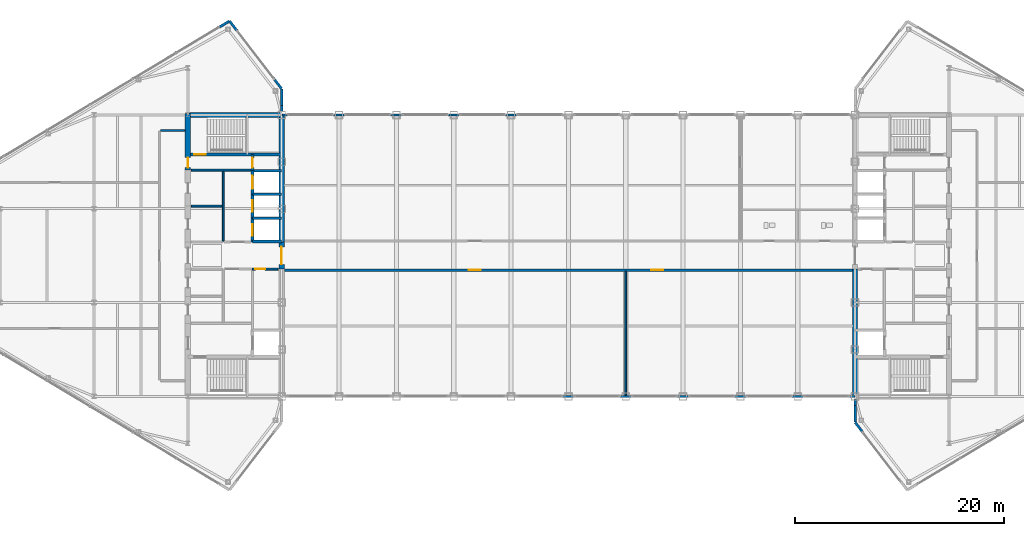
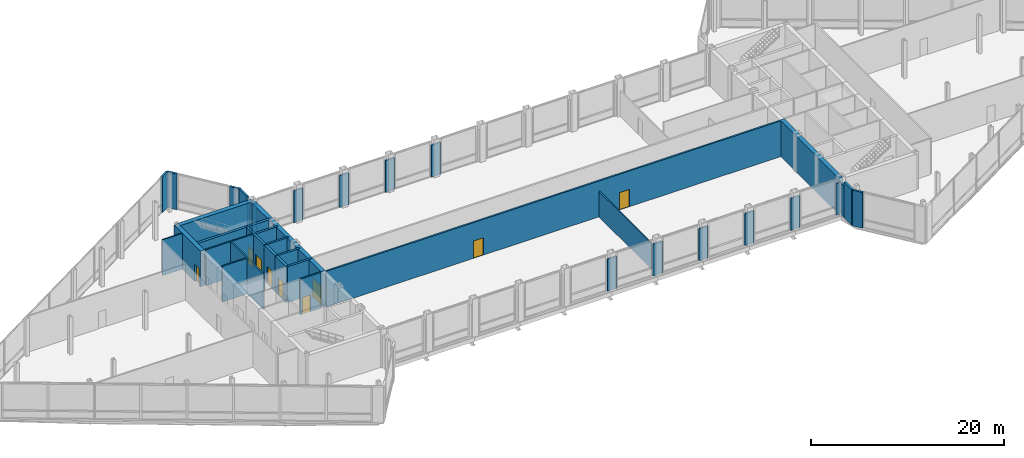
# One storey, part 23 of 29: 40 walls, 10 doors, 10 openings.
"""IFC4 building model written with IfcOpenShell, lengths in metres."""

from ifc_helpers import new_model, si_unit, direction, frame, frame_2d, origin, place, context, subcontext, project, spatial, rectangle, extrude, source, transform, mapped, material, layer, layer_set, type_object, type_shapes, element, fill, save


model = new_model("IFC4")

# Units and contexts
model_context = context("Model", 3, precision=1e-05, world=origin(), true_north=direction((0.0, 1.0)))
body_context = subcontext(model_context, "Body", "Model", "MODEL_VIEW")
ifc_project = project(units=[si_unit("LENGTHUNIT", "METRE"), si_unit("AREAUNIT", "SQUARE_METRE"), si_unit("VOLUMEUNIT", "CUBIC_METRE"), si_unit("PLANEANGLEUNIT", "RADIAN"), si_unit("MASSUNIT", "GRAM", prefix="KILO")], contexts=[model_context])

# Site, building, storey
site_placement = place(None, origin())
site = spatial("IfcSite", under=ifc_project, at=site_placement, CompositionType="ELEMENT")
building_placement = place(site_placement, origin())
building = spatial("IfcBuilding", under=site, at=building_placement, Name="Seokmaru Belvedere", CompositionType="ELEMENT")
storey_placement = place(building_placement, frame((0.0, 0.0, 269.39990234375)))
storey = spatial("IfcBuildingStorey", under=building, at=storey_placement, Name="L71", CompositionType="ELEMENT", Elevation=269.39990234375)

# Walls
ifc_material_1 = material(Name="Fire-Rated Gypsum Shaftwall")
ifc_layer_1 = layer(ifc_material_1, 0.14990234375)
ifc_layer_set_1 = layer_set([ifc_layer_1], Name="Fire-Rated Gypsum Shaftwall")
wall_type_1 = type_object("IfcWallType", Name="Apartment Fire-Acoustic Room Partition 150", PredefinedType="PARTITIONING", material=ifc_layer_set_1)
wall_1_placement = place(storey_placement, frame((-39.114990234375, 12.0, 0.0), z_axis=(0.0, 0.0, 1.0), x_axis=(1.0, 0.0, 0.0)))
element("IfcWall", 1, at=wall_1_placement, inside=storey, type_object=wall_type_1, Name="L71 Interior Partition 010", PredefinedType="PARTITIONING", context=body_context, shape_type="SweptSolid", body=[
    extrude(rectangle(XDim=2.360107421875, YDim=0.14990234375, at=frame_2d((1.18017578125, 0.0))), origin(), (0.0, 0.0, 1.0), 4.5400390625),
])
wall_2_placement = place(storey_placement, frame((5.5, -13.389892578125, 0.0), z_axis=(0.0, 0.0, 1.0), x_axis=(0.0, 1.0, 0.0)))
element("IfcWall", 2, at=wall_2_placement, inside=storey, type_object=wall_type_1, Name="L71 Interior Partition 013", PredefinedType="PARTITIONING", context=body_context, shape_type="SweptSolid", body=[
    extrude(rectangle(XDim=11.90478515625, YDim=0.14990234375, at=frame_2d((5.952392578125, 0.0))), origin(), (0.0, 0.0, 1.0), 3.239990234375),
])
ifc_material_2 = material(Name="Anodised Bronze Aluminium", Category="aluminium")
ifc_layer_2 = layer(ifc_material_2, 0.2099609375)
ifc_layer_set_2 = layer_set([ifc_layer_2], Name="Anodised Bronze Aluminium")
wall_type_2 = type_object("IfcWallType", Name="Bridge Column Spandrel Closure Pier 210", PredefinedType="SOLIDWALL", material=ifc_layer_set_2)
wall_3_placement = place(storey_placement, frame((-27.489990234375, 13.5, 0.0), z_axis=(0.0, 0.0, 1.0), x_axis=(1.0, 0.0, 0.0)))
element("IfcWall", 3, at=wall_3_placement, inside=storey, type_object=wall_type_2, Name="L71 Bridge North Column Closure Pier 01", PredefinedType="SOLIDWALL", context=body_context, shape_type="SweptSolid", body=[
    extrude(rectangle(XDim=0.5400390625, YDim=0.2099609375, at=frame_2d((0.27001953125, 0.0))), origin(), (0.0, 0.0, 1.0), 4.0400390625),
])
for number, where, z_axis, x_axis, name in (
    (4, (-22.550048828125, 13.5, 0.0), (0.0, 0.0, 1.0), (1.0, 0.0, 0.0), "L71 Bridge North Column Closure Pier 02"),
    (5, (-17.050048828125, 13.5, 0.0), (0.0, 0.0, 1.0), (1.0, 0.0, 0.0), "L71 Bridge North Column Closure Pier 03"),
    (6, (-11.550048828125, 13.5, 0.0), (0.0, 0.0, 1.0), (1.0, 0.0, 0.0), "L71 Bridge North Column Closure Pier 04"),
    (7, (-6.050048828125, 13.5, 0.0), (0.0, 0.0, 1.0), (1.0, 0.0, 0.0), "L71 Bridge North Column Closure Pier 05"),
    (8, (-0.550048828125, -13.5, 0.0), (0.0, 0.0, 1.0), (1.0, 0.0, 0.0), "L71 Bridge South Column Closure Pier 06"),
    (9, (4.949951171875, -13.5, 0.0), (0.0, 0.0, 1.0), (1.0, 0.0, 0.0), "L71 Bridge South Column Closure Pier 07"),
    (10, (10.449951171875, -13.5, 0.0), (0.0, 0.0, 1.0), (1.0, 0.0, 0.0), "L71 Bridge South Column Closure Pier 08"),
    (11, (15.949951171875, -13.5, 0.0), (0.0, 0.0, 1.0), (1.0, 0.0, 0.0), "L71 Bridge South Column Closure Pier 09"),
    (12, (21.449951171875, -13.5, 0.0), (0.0, 0.0, 1.0), (1.0, 0.0, 0.0), "L71 Bridge South Column Closure Pier 10"),
):
    element("IfcWall", number, at=place(storey_placement, frame(where, z_axis=z_axis, x_axis=x_axis)), inside=storey, type_object=wall_type_2, Name=name, PredefinedType="SOLIDWALL", context=body_context, shape_type="SweptSolid", body=[
        extrude(rectangle(XDim=1.10009765625, YDim=0.2099609375, at=frame_2d((0.550048828125, 0.0))), origin(), (0.0, 0.0, 1.0), 4.0400390625),
    ])
wall_4_placement = place(storey_placement, frame((26.949951171875, -13.5, 0.0), z_axis=(0.0, 0.0, 1.0), x_axis=(1.0, 0.0, 0.0)))
element("IfcWall", 13, at=wall_4_placement, inside=storey, type_object=wall_type_2, Name="L71 Bridge South Column Closure Pier 11", PredefinedType="SOLIDWALL", context=body_context, shape_type="SweptSolid", body=[
    extrude(rectangle(XDim=0.5400390625, YDim=0.2099609375, at=frame_2d((0.27001953125, 0.0))), origin(), (0.0, 0.0, 1.0), 4.0400390625),
])
ifc_layer_3 = layer(ifc_material_1, 0.179931640625)
ifc_layer_set_3 = layer_set([ifc_layer_3], Name="Fire-Rated Gypsum Shaftwall")
wall_type_3 = type_object("IfcWallType", Name="Core Service Fire Partition 180", PredefinedType="PARTITIONING", material=ifc_layer_set_3)
wall_5_placement = place(storey_placement, frame((-36.14990234375, 8.199951171875, 0.0), z_axis=(0.0, 0.0, 1.0), x_axis=(1.0, 0.0, 0.0)))
element("IfcWall", 14, at=wall_5_placement, inside=storey, type_object=wall_type_3, Name="L71 West Smokeproof Vestibule Partition", PredefinedType="PARTITIONING", context=body_context, shape_type="SweptSolid", body=[
    extrude(rectangle(XDim=5.699951171875, YDim=0.179931640625, at=frame_2d((2.85009765625, 0.0))), origin(), (0.0, 0.0, 1.0), 4.5400390625),
])
wall_6_placement = place(storey_placement, frame((-33.10009765625, 1.3798828125, 0.0), z_axis=(0.0, 0.0, 1.0), x_axis=(0.0, 1.0, 0.0)))
element("IfcWall", 15, at=wall_6_placement, inside=storey, type_object=wall_type_3, Name="L71 West North Core Service Back Wall", PredefinedType="PARTITIONING", context=body_context, shape_type="SweptSolid", body=[
    extrude(rectangle(XDim=6.740234375, YDim=0.179931640625, at=frame_2d((3.3701171875, 0.0))), origin(), (0.0, 0.0, 1.0), 4.5400390625),
])

# Wall, opening, door
wall_7_placement = place(storey_placement, frame((-30.300048828125, -1.300048828125, 0.0), z_axis=(0.0, 0.0, 1.0), x_axis=(1.0, 0.0, 0.0)))
wall_7 = element("IfcWall", 16, at=wall_7_placement, inside=storey, type_object=wall_type_3, Name="L71 West South Parcel Vault Foyer Wall", PredefinedType="PARTITIONING", context=body_context, shape_type="SweptSolid", body=[
    extrude(rectangle(XDim=2.449951171875, YDim=0.179931640625, at=frame_2d((1.22509765625, 0.0))), origin(), (0.0, 0.0, 1.0), 4.5400390625),
])
opening_1_placement = place(wall_7_placement, frame((0.27490234375, 0.0, 0.0)))
opening_1 = element("IfcOpeningElement", 17, at=opening_1_placement, cuts=wall_7, Name="Opening D04", PredefinedType="OPENING", context=body_context, shape_type="SweptSolid", body=[
    extrude(rectangle(XDim=0.949951171875, YDim=2.14990234375, at=frame_2d((0.47509765625, 1.074951171875))), frame((0.0, 0.10009765625, 0.0), z_axis=(0.0, -1.0, 0.0), x_axis=(1.0, 0.0, 0.0)), (0.0, 0.0, 1.0), 0.199951171875),
])
ifc_material_3 = material(Name="Fire-Rated Steel Leaf", Category="steel")
door_type_1 = type_object("IfcDoorType", Name="Core Service Room Fire Door 950x2150", OperationType="NOTDEFINED", PredefinedType="DOOR", material=ifc_material_3)
shared_shape_1 = source(origin(), body_context, "Body", "SweptSolid", [
    extrude(rectangle(XDim=0.949951171875, YDim=2.14990234375, at=frame_2d((0.47509765625, 1.074951171875))), frame((0.0, 0.02490234375, 0.0), z_axis=(0.0, -1.0, 0.0), x_axis=(1.0, 0.0, 0.0)), (0.0, 0.0, 1.0), 0.050048828125),
])
type_shapes(door_type_1, [shared_shape_1])
door_1_placement = place(opening_1_placement, origin())
door_1 = element("IfcDoor", 18, at=door_1_placement, inside=storey, type_object=door_type_1, Name="L71 West South Parcel Vault Door", OperationType="SINGLE_SWING_LEFT", OverallHeight=2.14990234375, OverallWidth=0.949951171875, PredefinedType="DOOR", context=body_context, shape_type="MappedRepresentation", body=[
    mapped(shared_shape_1, transform((0.0, 0.0, 0.0), scale=1.0)),
])
fill(opening_1, door_1)

# Walls
wall_8_placement = place(storey_placement, frame((-36.14990234375, 4.75, 0.0), z_axis=(0.0, 0.0, 1.0), x_axis=(1.0, 0.0, 0.0)))
element("IfcWall", 19, at=wall_8_placement, inside=storey, type_object=wall_type_3, Name="L71 West Core Service Partition 2", PredefinedType="PARTITIONING", context=body_context, shape_type="SweptSolid", body=[
    extrude(rectangle(XDim=2.949951171875, YDim=0.179931640625, at=frame_2d((1.47509765625, 0.0))), origin(), (0.0, 0.0, 1.0), 4.5400390625),
])
ifc_material_4 = material(Name="Concrete C50 (50 MPa)", Category="concrete")
ifc_layer_4 = layer(ifc_material_4, 0.25)
ifc_layer_set_4 = layer_set([ifc_layer_4], Name="Concrete C50 (50 MPa)")
wall_type_4 = type_object("IfcWallType", Name="Hoistway Transverse Concrete Divider Wall 250", PredefinedType="SHEAR", material=ifc_layer_set_4)
for number, where, z_axis, x_axis, name in (
    (20, (-30.300048828125, 1.35009765625, 0.0), (0.0, 0.0, 1.0), (1.0, 0.0, 0.0), "L71 West Hoistway Divider Core Wall 2"),
    (21, (-30.300048828125, 3.60009765625, 0.0), (0.0, 0.0, 1.0), (1.0, 0.0, 0.0), "L71 West Hoistway Divider Core Wall 3"),
    (22, (-30.300048828125, 5.89990234375, 0.0), (0.0, 0.0, 1.0), (1.0, 0.0, 0.0), "L71 West Hoistway Divider Core Wall 4"),
    (23, (-30.300048828125, 8.14990234375, 0.0), (0.0, 0.0, 1.0), (1.0, 0.0, 0.0), "L71 West Hoistway Divider Core Wall 5"),
):
    element("IfcWall", number, at=place(storey_placement, frame(where, z_axis=z_axis, x_axis=x_axis)), inside=storey, type_object=wall_type_4, Name=name, PredefinedType="SHEAR", context=body_context, shape_type="SweptSolid", body=[
        extrude(rectangle(XDim=2.800048828125, YDim=0.25, at=frame_2d((1.39990234375, 0.0))), origin(), (0.0, 0.0, 1.0), 4.5400390625),
    ])

# Wall, openings, doors
ifc_layer_5 = layer(ifc_material_1, 0.199951171875)
ifc_layer_set_5 = layer_set([ifc_layer_5], Name="Fire-Rated Gypsum Shaftwall")
wall_type_5 = type_object("IfcWallType", Name="Inter-Tenancy Fire Compartment Partition 200", PredefinedType="PARTITIONING", material=ifc_layer_set_5)
wall_9_placement = place(storey_placement, frame((-27.2451171875, -1.39990234375, 0.0), z_axis=(0.0, 0.0, 1.0), x_axis=(1.0, 0.0, 0.0)))
wall_9 = element("IfcWall", 24, at=wall_9_placement, inside=storey, type_object=wall_type_5, Name="L71 Interior Partition 005", PredefinedType="PARTITIONING", context=body_context, shape_type="SweptSolid", body=[
    extrude(rectangle(XDim=54.490234375, YDim=0.199951171875, at=frame_2d((27.2451171875, 0.0))), origin(), (0.0, 0.0, 1.0), 4.5400390625),
])
opening_2_placement = place(wall_9_placement, frame((17.669921875, 0.0, 0.0)))
opening_2 = element("IfcOpeningElement", 25, at=opening_2_placement, cuts=wall_9, Name="Opening D02", PredefinedType="OPENING", context=body_context, shape_type="SweptSolid", body=[
    extrude(rectangle(XDim=1.14990234375, YDim=2.199951171875, at=frame_2d((0.574951171875, 1.10009765625))), frame((0.0, 0.10986328125, 0.0), z_axis=(0.0, -1.0, 0.0), x_axis=(1.0, 0.0, 0.0)), (0.0, 0.0, 1.0), 0.219970703125),
])
opening_3_placement = place(wall_9_placement, frame((35.169921875, 0.0, 0.0)))
opening_3 = element("IfcOpeningElement", 26, at=opening_3_placement, cuts=wall_9, Name="Opening D02", PredefinedType="OPENING", context=body_context, shape_type="SweptSolid", body=[
    extrude(rectangle(XDim=1.14990234375, YDim=2.199951171875, at=frame_2d((0.574951171875, 1.10009765625))), frame((0.0, 0.10986328125, 0.0), z_axis=(0.0, -1.0, 0.0), x_axis=(1.0, 0.0, 0.0)), (0.0, 0.0, 1.0), 0.219970703125),
])
door_type_2 = type_object("IfcDoorType", Name="Lobby and Vestibule Fire Door 1150x2200", OperationType="NOTDEFINED", PredefinedType="DOOR", material=ifc_material_3)
shared_shape_2 = source(origin(), body_context, "Body", "SweptSolid", [
    extrude(rectangle(XDim=1.14990234375, YDim=2.199951171875, at=frame_2d((0.574951171875, 1.10009765625))), frame((0.0, 0.02490234375, 0.0), z_axis=(0.0, -1.0, 0.0), x_axis=(1.0, 0.0, 0.0)), (0.0, 0.0, 1.0), 0.050048828125),
])
type_shapes(door_type_2, [shared_shape_2])
door_2_placement = place(opening_2_placement, origin())
door_2 = element("IfcDoor", 27, at=door_2_placement, inside=storey, type_object=door_type_2, Name="L71 Interior Door 007", OperationType="SINGLE_SWING_LEFT", OverallHeight=2.199951171875, OverallWidth=1.14990234375, PredefinedType="DOOR", context=body_context, shape_type="MappedRepresentation", body=[
    mapped(shared_shape_2, transform((0.0, 0.0, 0.0), scale=1.0)),
])
fill(opening_2, door_2)
door_3_placement = place(opening_3_placement, origin())
door_3 = element("IfcDoor", 28, at=door_3_placement, inside=storey, type_object=door_type_2, Name="L71 Interior Door 008", OperationType="SINGLE_SWING_RIGHT", OverallHeight=2.199951171875, OverallWidth=1.14990234375, PredefinedType="DOOR", context=body_context, shape_type="MappedRepresentation", body=[
    mapped(shared_shape_2, transform((0.0, 0.0, 0.0), scale=1.0)),
])
fill(opening_3, door_3)

# Wall, opening, door
ifc_layer_6 = layer(ifc_material_4, 0.300048828125)
ifc_layer_set_6 = layer_set([ifc_layer_6], Name="Concrete C50 (50 MPa)")
wall_type_6 = type_object("IfcWallType", Name="Internal Core Stair and Hoistway Wall 300", PredefinedType="SHEAR", material=ifc_layer_set_6)
wall_10_placement = place(storey_placement, frame((-36.5, 9.699951171875, 0.0), z_axis=(0.0, 0.0, 1.0), x_axis=(1.0, 0.0, 0.0)))
wall_10 = element("IfcWall", 29, at=wall_10_placement, inside=storey, type_object=wall_type_6, Name="L71 West Stair ST-2 Enclosure Wall", PredefinedType="SHEAR", context=body_context, shape_type="SweptSolid", body=[
    extrude(rectangle(XDim=9.0, YDim=0.300048828125, at=frame_2d((4.5, 0.0))), origin(), (0.0, 0.0, 1.0), 4.5400390625),
])
opening_4_placement = place(wall_10_placement, frame((0.60009765625, 0.0, 0.0)))
opening_4 = element("IfcOpeningElement", 30, at=opening_4_placement, cuts=wall_10, Name="Opening D01", PredefinedType="OPENING", context=body_context, shape_type="SweptSolid", body=[
    extrude(rectangle(XDim=1.10009765625, YDim=2.199951171875, at=frame_2d((0.550048828125, 1.10009765625))), frame((0.0, 0.16015625, 0.0), z_axis=(0.0, -1.0, 0.0), x_axis=(1.0, 0.0, 0.0)), (0.0, 0.0, 1.0), 0.320068359375),
])
door_type_3 = type_object("IfcDoorType", Name="Special Escape Stair Smokeproof Fire Door 1100x2200", OperationType="NOTDEFINED", PredefinedType="DOOR", material=ifc_material_3)
shared_shape_3 = source(origin(), body_context, "Body", "SweptSolid", [
    extrude(rectangle(XDim=1.10009765625, YDim=2.199951171875, at=frame_2d((0.550048828125, 1.10009765625))), frame((0.0, 0.02490234375, 0.0), z_axis=(0.0, -1.0, 0.0), x_axis=(1.0, 0.0, 0.0)), (0.0, 0.0, 1.0), 0.050048828125),
])
type_shapes(door_type_3, [shared_shape_3])
door_4_placement = place(opening_4_placement, origin())
door_4 = element("IfcDoor", 31, at=door_4_placement, inside=storey, type_object=door_type_3, Name="L71 West Special Escape Stair ST-2 Door", OperationType="SINGLE_SWING_RIGHT", OverallHeight=2.199951171875, OverallWidth=1.10009765625, PredefinedType="DOOR", context=body_context, shape_type="MappedRepresentation", body=[
    mapped(shared_shape_3, transform((0.0, 0.0, 0.0), scale=1.0)),
])
fill(opening_4, door_4)

wall_11_placement = place(storey_placement, frame((-30.300048828125, 1.320068359375, 0.0), z_axis=(0.0, 0.0, 1.0), x_axis=(0.0, 1.0, 0.0)))
wall_11 = element("IfcWall", 32, at=wall_11_placement, inside=storey, type_object=wall_type_6, Name="L71 West North Hoistway Wall PH1", PredefinedType="SHEAR", context=body_context, shape_type="SweptSolid", body=[
    extrude(rectangle(XDim=2.280029296875, YDim=0.300048828125, at=frame_2d((1.14013671875, 0.0))), origin(), (0.0, 0.0, 1.0), 4.5400390625),
])
opening_5_placement = place(wall_11_placement, frame((0.590087890625, 0.0, 0.0)))
opening_5 = element("IfcOpeningElement", 33, at=opening_5_placement, cuts=wall_11, Name="Opening LD1", PredefinedType="OPENING", context=body_context, shape_type="SweptSolid", body=[
    extrude(rectangle(XDim=1.10009765625, YDim=2.199951171875, at=frame_2d((0.550048828125, 1.10009765625))), frame((0.0, 0.16015625, 0.0), z_axis=(0.0, -1.0, 0.0), x_axis=(1.0, 0.0, 0.0)), (0.0, 0.0, 1.0), 0.320068359375),
])
ifc_material_5 = material(Name="Stainless Steel 316", Category="steel")
door_type_4 = type_object("IfcDoorType", Name="Passenger Lift Sliding Landing Door 1100x2200", OperationType="DOUBLE_DOOR_SLIDING", PredefinedType="DOOR", material=ifc_material_5)
shared_shape_4 = source(origin(), body_context, "Body", "SweptSolid", [
    extrude(rectangle(XDim=1.10009765625, YDim=2.199951171875, at=frame_2d((0.550048828125, 1.10009765625))), frame((0.0, 0.02490234375, 0.0), z_axis=(0.0, -1.0, 0.0), x_axis=(1.0, 0.0, 0.0)), (0.0, 0.0, 1.0), 0.050048828125),
])
type_shapes(door_type_4, [shared_shape_4])
door_5_placement = place(opening_5_placement, origin())
door_5 = element("IfcDoor", 34, at=door_5_placement, inside=storey, type_object=door_type_4, Name="L71 West High-Rise Lift PH-1 Landing Door", OperationType="DOUBLE_DOOR_SLIDING", OverallHeight=2.199951171875, OverallWidth=1.10009765625, PredefinedType="DOOR", context=body_context, shape_type="MappedRepresentation", body=[
    mapped(shared_shape_4, transform((0.0, 0.0, 0.0), scale=1.0)),
])
fill(opening_5, door_5)

wall_12_placement = place(storey_placement, frame((-30.300048828125, 3.60009765625, 0.0), z_axis=(0.0, 0.0, 1.0), x_axis=(0.0, 1.0, 0.0)))
wall_12 = element("IfcWall", 35, at=wall_12_placement, inside=storey, type_object=wall_type_6, Name="L71 West North Hoistway Wall PH2", PredefinedType="SHEAR", context=body_context, shape_type="SweptSolid", body=[
    extrude(rectangle(XDim=2.2998046875, YDim=0.300048828125, at=frame_2d((1.14990234375, 0.0))), origin(), (0.0, 0.0, 1.0), 4.5400390625),
])
opening_6_placement = place(wall_12_placement, frame((0.60009765625, 0.0, 0.0)))
opening_6 = element("IfcOpeningElement", 36, at=opening_6_placement, cuts=wall_12, Name="Opening LD1", PredefinedType="OPENING", context=body_context, shape_type="SweptSolid", body=[
    extrude(rectangle(XDim=1.10009765625, YDim=2.199951171875, at=frame_2d((0.550048828125, 1.10009765625))), frame((0.0, 0.16015625, 0.0), z_axis=(0.0, -1.0, 0.0), x_axis=(1.0, 0.0, 0.0)), (0.0, 0.0, 1.0), 0.320068359375),
])
door_6_placement = place(opening_6_placement, origin())
door_6 = element("IfcDoor", 37, at=door_6_placement, inside=storey, type_object=door_type_4, Name="L71 West High-Rise Lift PH-2 Landing Door", OperationType="DOUBLE_DOOR_SLIDING", OverallHeight=2.199951171875, OverallWidth=1.10009765625, PredefinedType="DOOR", context=body_context, shape_type="MappedRepresentation", body=[
    mapped(shared_shape_4, transform((0.0, 0.0, 0.0), scale=1.0)),
])
fill(opening_6, door_6)

wall_13_placement = place(storey_placement, frame((-30.300048828125, 5.89990234375, 0.0), z_axis=(0.0, 0.0, 1.0), x_axis=(0.0, 1.0, 0.0)))
wall_13 = element("IfcWall", 38, at=wall_13_placement, inside=storey, type_object=wall_type_6, Name="L71 West North Hoistway Wall OBS", PredefinedType="SHEAR", context=body_context, shape_type="SweptSolid", body=[
    extrude(rectangle(XDim=2.25, YDim=0.300048828125, at=frame_2d((1.125, 0.0))), origin(), (0.0, 0.0, 1.0), 4.5400390625),
])
opening_7_placement = place(wall_13_placement, frame((0.4951171875, 0.0, 0.0)))
opening_7 = element("IfcOpeningElement", 39, at=opening_7_placement, cuts=wall_13, Name="Opening LD3", PredefinedType="OPENING", context=body_context, shape_type="SweptSolid", body=[
    extrude(rectangle(XDim=1.25, YDim=2.300048828125, at=frame_2d((0.625, 1.14990234375))), frame((0.0, 0.16015625, 0.0), z_axis=(0.0, -1.0, 0.0), x_axis=(1.0, 0.0, 0.0)), (0.0, 0.0, 1.0), 0.320068359375),
])
door_type_5 = type_object("IfcDoorType", Name="Observatory Shuttle Sliding Landing Door 1250x2300", OperationType="DOUBLE_DOOR_SLIDING", PredefinedType="DOOR", material=ifc_material_5)
shared_shape_5 = source(origin(), body_context, "Body", "SweptSolid", [
    extrude(rectangle(XDim=1.25, YDim=2.300048828125, at=frame_2d((0.625, 1.14990234375))), frame((0.0, 0.02490234375, 0.0), z_axis=(0.0, -1.0, 0.0), x_axis=(1.0, 0.0, 0.0)), (0.0, 0.0, 1.0), 0.050048828125),
])
type_shapes(door_type_5, [shared_shape_5])
door_7_placement = place(opening_7_placement, origin())
door_7 = element("IfcDoor", 40, at=door_7_placement, inside=storey, type_object=door_type_5, Name="L71 West Express Observatory Lift Landing Door", OperationType="DOUBLE_DOOR_SLIDING", OverallHeight=2.300048828125, OverallWidth=1.25, PredefinedType="DOOR", context=body_context, shape_type="MappedRepresentation", body=[
    mapped(shared_shape_5, transform((0.0, 0.0, 0.0), scale=1.0)),
])
fill(opening_7, door_7)

wall_14_placement = place(storey_placement, frame((-30.300048828125, 8.14990234375, 0.0), z_axis=(0.0, 0.0, 1.0), x_axis=(0.0, 1.0, 0.0)))
wall_14 = element("IfcWall", 41, at=wall_14_placement, inside=storey, type_object=wall_type_6, Name="L71 West Electrical Riser Front Wall", PredefinedType="SHEAR", context=body_context, shape_type="SweptSolid", body=[
    extrude(rectangle(XDim=1.530029296875, YDim=0.300048828125, at=frame_2d((0.76513671875, 0.0))), origin(), (0.0, 0.0, 1.0), 4.5400390625),
])
opening_8_placement = place(wall_14_placement, frame((0.284912109375, 0.0, 0.0)))
opening_8 = element("IfcOpeningElement", 42, at=opening_8_placement, cuts=wall_14, Name="Opening D04", PredefinedType="OPENING", context=body_context, shape_type="SweptSolid", body=[
    extrude(rectangle(XDim=0.949951171875, YDim=2.14990234375, at=frame_2d((0.47509765625, 1.074951171875))), frame((0.0, 0.16015625, 0.0), z_axis=(0.0, -1.0, 0.0), x_axis=(1.0, 0.0, 0.0)), (0.0, 0.0, 1.0), 0.320068359375),
])
door_8_placement = place(opening_8_placement, origin())
door_8 = element("IfcDoor", 43, at=door_8_placement, inside=storey, type_object=door_type_1, Name="L71 West Electrical Riser Access Door", OperationType="SINGLE_SWING_LEFT", OverallHeight=2.14990234375, OverallWidth=0.949951171875, PredefinedType="DOOR", context=body_context, shape_type="MappedRepresentation", body=[
    mapped(shared_shape_1, transform((0.0, 0.0, 0.0), scale=1.0)),
])
fill(opening_8, door_8)

# Walls
ifc_layer_7 = layer(ifc_material_2, 0.239990234375)
ifc_layer_set_7 = layer_set([ifc_layer_7], Name="Anodised Bronze Aluminium")
wall_type_7 = type_object("IfcWallType", Name="Tower Corner Spandrel Closure Wall 240", PredefinedType="SOLIDWALL", material=ifc_layer_set_7)
wall_15_placement = place(storey_placement, frame((-27.5, 13.7548828125, 0.0), z_axis=(0.0, 0.0, 1.0), x_axis=(0.0, 1.0, 0.0)))
element("IfcWall", 44, at=wall_15_placement, inside=storey, type_object=wall_type_7, Name="L71 W Shoulder Closure Wall 2", PredefinedType="SOLIDWALL", context=body_context, shape_type="SweptSolid", body=[
    extrude(rectangle(XDim=0.619873046875, YDim=0.239990234375, at=frame_2d((0.31005859375, 0.0))), origin(), (0.0, 0.0, 1.0), 4.0400390625),
])
wall_16_placement = place(storey_placement, frame((-27.5, 14.374755859375, 0.0), z_axis=(0.0, 0.0, 1.0), x_axis=(0.0, 1.0, 0.0)))
element("IfcWall", 45, at=wall_16_placement, inside=storey, type_object=wall_type_7, Name="L71 W Shoulder Closure Wall 2 Part 2", PredefinedType="SOLIDWALL", context=body_context, shape_type="SweptSolid", body=[
    extrude(rectangle(XDim=1.605224609375, YDim=0.239990234375, at=frame_2d((0.802734375, 0.0))), origin(), (0.0, 0.0, 1.0), 4.5400390625),
])
for number, where, z_axis, x_axis, name in (
    (46, (-27.506103515625, 16.0078125, 0.0), (0.0, 0.0, 1.0), (-0.609617623633, 0.792695624408, 0.0), "L71 W Corner Closure Pier 2A"),
    (47, (-31.798828125, 21.58837890625, 0.0), (0.0, 0.0, 1.0), (-0.609617623633, 0.792695624408, 0.0), "L71 W Corner Closure Pier 2B"),
    (48, (-32.508544921875, 22.494873046875, 0.0), (0.0, 0.0, 1.0), (-0.85743623509, -0.514590228002, 0.0), "L71 W Corner Closure Pier 3A"),
):
    element("IfcWall", number, at=place(storey_placement, frame(where, z_axis=z_axis, x_axis=x_axis)), inside=storey, type_object=wall_type_7, Name=name, PredefinedType="SOLIDWALL", context=body_context, shape_type="SweptSolid", body=[
        extrude(rectangle(XDim=1.14013671875, YDim=0.239990234375, at=frame_2d((0.570068359375, 0.0))), origin(), (0.0, 0.0, 1.0), 4.5400390625),
    ])
wall_17_placement = place(storey_placement, frame((27.5, -15.97998046875, 0.0), z_axis=(0.0, 0.0, 1.0), x_axis=(0.0, 1.0, 0.0)))
element("IfcWall", 49, at=wall_17_placement, inside=storey, type_object=wall_type_7, Name="L71 E Shoulder Closure Wall 1", PredefinedType="SOLIDWALL", context=body_context, shape_type="SweptSolid", body=[
    extrude(rectangle(XDim=1.605224609375, YDim=0.239990234375, at=frame_2d((0.802734375, 0.0))), origin(), (0.0, 0.0, 1.0), 4.5400390625),
])
wall_18_placement = place(storey_placement, frame((27.5, -14.374755859375, 0.0), z_axis=(0.0, 0.0, 1.0), x_axis=(0.0, 1.0, 0.0)))
element("IfcWall", 50, at=wall_18_placement, inside=storey, type_object=wall_type_7, Name="L71 E Shoulder Closure Wall 1 Part 2", PredefinedType="SOLIDWALL", context=body_context, shape_type="SweptSolid", body=[
    extrude(rectangle(XDim=0.619873046875, YDim=0.239990234375, at=frame_2d((0.31005859375, 0.0))), origin(), (0.0, 0.0, 1.0), 4.0400390625),
])
wall_19_placement = place(storey_placement, frame((27.506103515625, -16.0078125, 0.0), z_axis=(0.0, 0.0, 1.0), x_axis=(0.609617623633, -0.792695624408, 0.0)))
element("IfcWall", 51, at=wall_19_placement, inside=storey, type_object=wall_type_7, Name="L71 E Corner Closure Pier 6A", PredefinedType="SOLIDWALL", context=body_context, shape_type="SweptSolid", body=[
    extrude(rectangle(XDim=1.14013671875, YDim=0.239990234375, at=frame_2d((0.570068359375, 0.0))), origin(), (0.0, 0.0, 1.0), 4.5400390625),
])
ifc_layer_8 = layer(ifc_material_4, 0.5)
ifc_layer_set_8 = layer_set([ifc_layer_8], Name="Concrete C50 (50 MPa)")
wall_type_8 = type_object("IfcWallType", Name="Upper Tower Reinforced Concrete Core Wall 500", PredefinedType="SHEAR", material=ifc_layer_set_8)
wall_20_placement = place(storey_placement, frame((-27.5, 1.300048828125, 0.0), z_axis=(0.0, 0.0, 1.0), x_axis=(0.0, 1.0, 0.0)))
element("IfcWall", 52, at=wall_20_placement, inside=storey, type_object=wall_type_8, Name="L71 West Portal Spine Core Wall North", PredefinedType="SHEAR", context=body_context, shape_type="SweptSolid", body=[
    extrude(rectangle(XDim=12.199951171875, YDim=0.5, at=frame_2d((6.10009765625, 0.0))), origin(), (0.0, 0.0, 1.0), 4.5400390625),
])

# Wall, opening, door
wall_21_placement = place(storey_placement, frame((-27.5, -1.300048828125, 0.0), z_axis=(0.0, 0.0, 1.0), x_axis=(0.0, 1.0, 0.0)))
wall_21 = element("IfcWall", 53, at=wall_21_placement, inside=storey, type_object=wall_type_8, Name="L71 West Portal Spine Core Wall Center", PredefinedType="SHEAR", context=body_context, shape_type="SweptSolid", body=[
    extrude(rectangle(XDim=2.60009765625, YDim=0.5, at=frame_2d((1.300048828125, 0.0))), origin(), (0.0, 0.0, 1.0), 4.5400390625),
])
opening_9_placement = place(wall_21_placement, frame((0.449951171875, 0.0, 0.0)))
opening_9 = element("IfcOpeningElement", 54, at=opening_9_placement, cuts=wall_21, Name="Opening D09", PredefinedType="OPENING", context=body_context, shape_type="SweptSolid", body=[
    extrude(rectangle(XDim=1.699951171875, YDim=2.35009765625, at=frame_2d((0.85009765625, 1.175048828125))), frame((0.0, 0.260009765625, 0.0), z_axis=(0.0, -1.0, 0.0), x_axis=(1.0, 0.0, 0.0)), (0.0, 0.0, 1.0), 0.52001953125),
])
door_type_6 = type_object("IfcDoorType", Name="Sky-Gate Bridge Inter-Tower Fire Door 1700x2350", OperationType="DOUBLE_SWING_LEFT", PredefinedType="DOOR", material=ifc_material_3)
shared_shape_6 = source(origin(), body_context, "Body", "SweptSolid", [
    extrude(rectangle(XDim=1.699951171875, YDim=2.35009765625, at=frame_2d((0.85009765625, 1.175048828125))), frame((0.0, 0.02490234375, 0.0), z_axis=(0.0, -1.0, 0.0), x_axis=(1.0, 0.0, 0.0)), (0.0, 0.0, 1.0), 0.050048828125),
])
type_shapes(door_type_6, [shared_shape_6])
door_9_placement = place(opening_9_placement, origin())
door_9 = element("IfcDoor", 55, at=door_9_placement, inside=storey, type_object=door_type_6, Name="L71 West Inter-Tower Fire Door", OperationType="DOUBLE_SWING_LEFT", OverallHeight=2.35009765625, OverallWidth=1.699951171875, PredefinedType="DOOR", context=body_context, shape_type="MappedRepresentation", body=[
    mapped(shared_shape_6, transform((0.0, 0.0, 0.0), scale=1.0)),
])
fill(opening_9, door_9)

# Wall
wall_22_placement = place(storey_placement, frame((-36.5, 13.5, 0.0), z_axis=(0.0, 0.0, 1.0), x_axis=(1.0, 0.0, 0.0)))
element("IfcWall", 56, at=wall_22_placement, inside=storey, type_object=wall_type_8, Name="L71 West North Core Wall", PredefinedType="SHEAR", context=body_context, shape_type="SweptSolid", body=[
    extrude(rectangle(XDim=9.0, YDim=0.5, at=frame_2d((4.5, 0.0))), origin(), (0.0, 0.0, 1.0), 4.5400390625),
])

# Wall, opening, door
wall_23_placement = place(storey_placement, frame((-36.5, 8.199951171875, 0.0), z_axis=(0.0, 0.0, 1.0), x_axis=(0.0, 1.0, 0.0)))
wall_23 = element("IfcWall", 57, at=wall_23_placement, inside=storey, type_object=wall_type_8, Name="L71 West West Core Wall VST", PredefinedType="SHEAR", context=body_context, shape_type="SweptSolid", body=[
    extrude(rectangle(XDim=5.449951171875, YDim=0.5, at=frame_2d((2.72509765625, 0.0))), origin(), (0.0, 0.0, 1.0), 4.5400390625),
])
opening_10_placement = place(wall_23_placement, frame((0.2451171875, 0.0, 0.0)))
opening_10 = element("IfcOpeningElement", 58, at=opening_10_placement, cuts=wall_23, Name="Opening D04", PredefinedType="OPENING", context=body_context, shape_type="SweptSolid", body=[
    extrude(rectangle(XDim=0.949951171875, YDim=2.14990234375, at=frame_2d((0.47509765625, 1.074951171875))), frame((0.0, 0.260009765625, 0.0), z_axis=(0.0, -1.0, 0.0), x_axis=(1.0, 0.0, 0.0)), (0.0, 0.0, 1.0), 0.52001953125),
])
door_10_placement = place(opening_10_placement, frame((0.949951171875, 0.0, 0.0), z_axis=(0.0, 0.0, 1.0), x_axis=(-1.0, 0.0, 0.0)))
door_10 = element("IfcDoor", 59, at=door_10_placement, inside=storey, type_object=door_type_1, Name="L71 West Smokeproof Vestibule Door", OperationType="SINGLE_SWING_RIGHT", OverallHeight=2.14990234375, OverallWidth=0.949951171875, PredefinedType="DOOR", context=body_context, shape_type="MappedRepresentation", body=[
    mapped(shared_shape_1, transform((0.0, 0.0, 0.0), scale=1.0)),
])
fill(opening_10, door_10)

# Wall
wall_24_placement = place(storey_placement, frame((27.5, -13.5, 0.0), z_axis=(0.0, 0.0, 1.0), x_axis=(0.0, 1.0, 0.0)))
element("IfcWall", 60, at=wall_24_placement, inside=storey, type_object=wall_type_8, Name="L71 East Portal Spine Core Wall South", PredefinedType="SHEAR", context=body_context, shape_type="SweptSolid", body=[
    extrude(rectangle(XDim=12.199951171875, YDim=0.5, at=frame_2d((6.10009765625, 0.0))), origin(), (0.0, 0.0, 1.0), 4.5400390625),
])

save(model, "model.ifc")
